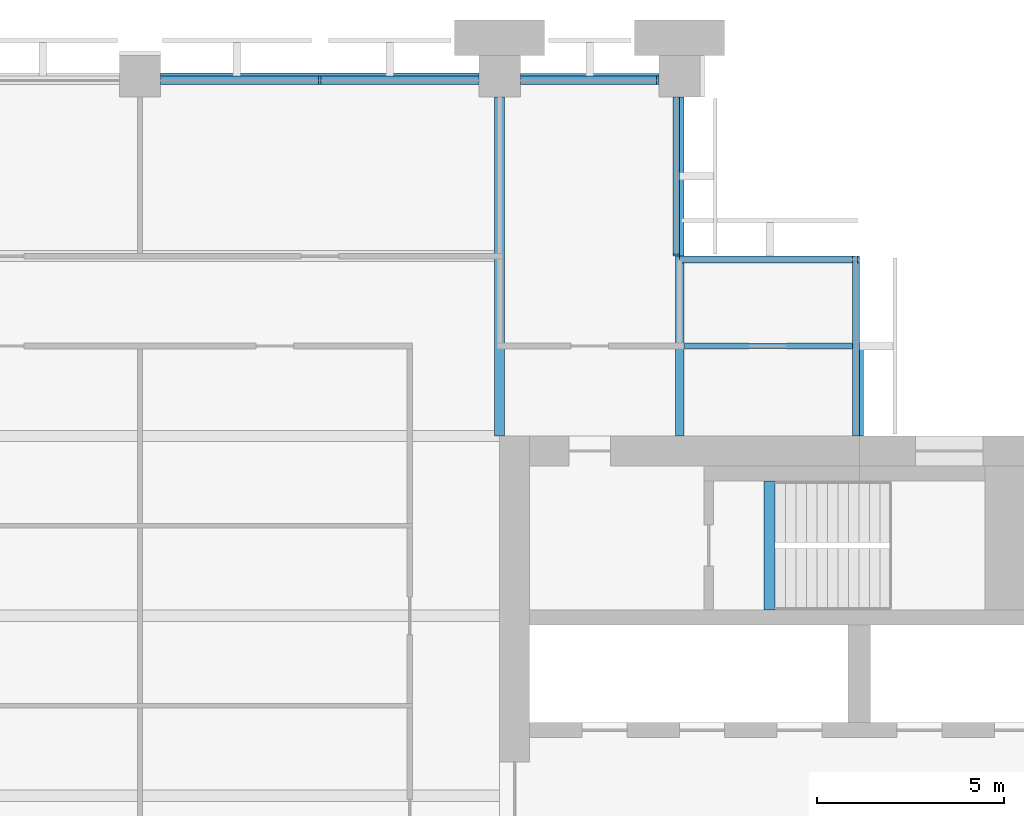
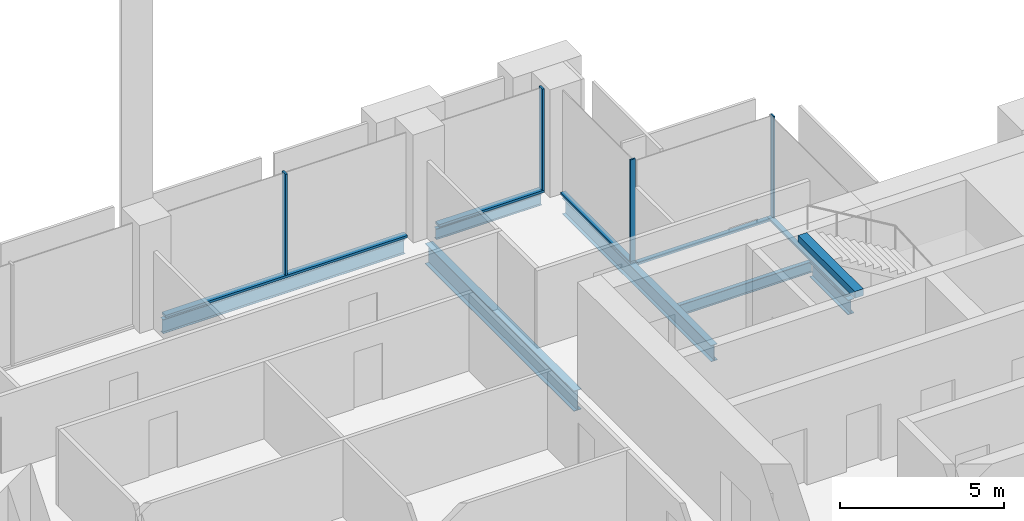
# One storey, part 6 of 13: 9 members, 7 beams, 4 elements without a shape of their own.
"""IFC4 building model written with IfcOpenShell, lengths in metres."""

from ifc_helpers import new_model, si_unit, direction, frame, origin, origin_2d, place, context, subcontext, project, spatial, rectangle, i_section, extrude, material, material_profile, profile_set, type_object, element, aggregate, save


model = new_model("IFC4")

# Units and contexts
model_context = context("Model", 3, precision=1e-05, world=origin(), true_north=direction((0.0, 1.0)))
body_context = subcontext(model_context, "Body", "Model", "MODEL_VIEW")
ifc_project = project(units=[si_unit("LENGTHUNIT", "METRE"), si_unit("AREAUNIT", "SQUARE_METRE"), si_unit("VOLUMEUNIT", "CUBIC_METRE"), si_unit("PLANEANGLEUNIT", "RADIAN"), si_unit("MASSUNIT", "GRAM", prefix="KILO")], contexts=[model_context])

# Site, building, storey
site_placement = place(None, origin())
site = spatial("IfcSite", under=ifc_project, at=site_placement, CompositionType="ELEMENT")
building_placement = place(site_placement, origin())
building = spatial("IfcBuilding", under=site, at=building_placement, Name="Baori Bourse Tower", CompositionType="ELEMENT")
storey_placement = place(building_placement, frame((0.0, 0.0, 201.199951171875)))
storey = spatial("IfcBuildingStorey", under=building, at=storey_placement, Name="L43", CompositionType="ELEMENT", Elevation=201.199951171875)

# Curtain wall, member
ifc_material_1 = material(Name="Pale anodised aluminium", Category="aluminium")
curtain_wall_type_1 = type_object("IfcCurtainWallType", Name="CW2 Curtain wall", PredefinedType="NOTDEFINED", material=ifc_material_1)
curtain_wall_1_placement = place(storey_placement, origin())
curtain_wall_1 = element("IfcCurtainWall", 1, at=curtain_wall_1_placement, inside=storey, type_object=curtain_wall_type_1, Name="Curtain wall CW2 L43 2", PredefinedType="NOTDEFINED")
ifc_material_2 = material(Name="Pale anodised aluminium", Category="aluminium")
ifc_material_profile_1 = material_profile(ifc_material_2, rectangle(XDim=0.179931640625, YDim=0.054931640625, at=origin_2d()), Name="Mullion 55x180")
ifc_profile_set_1 = profile_set([ifc_material_profile_1], Name="Pale anodised aluminium")
member_type_1 = type_object("IfcMemberType", Name="CW2 Curtain wall mullion", PredefinedType="MULLION", material=ifc_profile_set_1)
member_1_placement = place(storey_placement, frame((47.972412109375, 43.110107421875, 0.070068359375), z_axis=(0.0, 0.0, 1.0), x_axis=(0.0, -1.0, 0.0)))
member_1 = element("IfcMember", 2, at=member_1_placement, type_object=member_type_1, Name="Curtain wall CW2 mullion", PredefinedType="MULLION", context=body_context, shape_type="SweptSolid", body=[
    extrude(rectangle(XDim=0.179931640625, YDim=0.054931640625, at=origin_2d()), origin(), (0.0, 0.0, 1.0), 3.77001953125),
])

curtain_wall_2_placement = place(storey_placement, origin())
curtain_wall_2 = element("IfcCurtainWall", 3, at=curtain_wall_2_placement, inside=storey, type_object=curtain_wall_type_1, Name="Curtain wall CW2 L43 3", PredefinedType="NOTDEFINED")
member_2_placement = place(storey_placement, frame((43.110107421875, 43.2275390625, 0.070068359375), z_axis=(0.0, 0.0, 1.0), x_axis=(-1.0, 0.0, 0.0)))
member_2 = element("IfcMember", 4, at=member_2_placement, type_object=member_type_1, Name="Curtain wall CW2 mullion", PredefinedType="MULLION", context=body_context, shape_type="SweptSolid", body=[
    extrude(rectangle(XDim=0.179931640625, YDim=0.054931640625, at=origin_2d()), origin(), (0.0, 0.0, 1.0), 3.77001953125),
])

curtain_wall_3_placement = place(storey_placement, origin())
curtain_wall_3 = element("IfcCurtainWall", 5, at=curtain_wall_3_placement, inside=storey, type_object=curtain_wall_type_1, Name="Curtain wall CW2 L43 1", PredefinedType="NOTDEFINED")
ifc_material_3 = material(Name="Pale anodised aluminium", Category="aluminium")
ifc_material_profile_2 = material_profile(ifc_material_3, rectangle(XDim=0.179931640625, YDim=0.070068359375, at=origin_2d()), Name="Transom 70x180")
ifc_profile_set_2 = profile_set([ifc_material_profile_2], Name="Pale anodised aluminium")
member_type_2 = type_object("IfcMemberType", Name="CW2 Curtain wall transom", PredefinedType="USERDEFINED", material=ifc_profile_set_2)
member_3_placement = place(storey_placement, frame((47.909912109375, 38.39990234375, 0.03515625), z_axis=(0.0, 1.0, 0.0), x_axis=(-1.0, 0.0, 0.0)))
member_3 = element("IfcMember", 6, at=member_3_placement, type_object=member_type_2, Name="Curtain wall CW2 sill rail", ObjectType="TRANSOM", PredefinedType="USERDEFINED", context=body_context, shape_type="SweptSolid", body=[
    extrude(rectangle(XDim=0.179931640625, YDim=0.070068359375, at=origin_2d()), origin(), (0.0, 0.0, 1.0), 4.800048828125),
])
aggregate(curtain_wall_3, [member_3])

# Member
member_4_placement = place(storey_placement, frame((48.0, 43.110107421875, 0.03515625), z_axis=(-1.0, 0.0, 0.0), x_axis=(0.0, -1.0, 0.0)))
member_4 = element("IfcMember", 7, at=member_4_placement, type_object=member_type_2, Name="Curtain wall CW2 sill rail", ObjectType="TRANSOM", PredefinedType="USERDEFINED", context=body_context, shape_type="SweptSolid", body=[
    extrude(rectangle(XDim=0.179931640625, YDim=0.070068359375, at=origin_2d()), origin(), (0.0, 0.0, 1.0), 4.800048828125),
])

aggregate(curtain_wall_1, [member_4, member_1])

member_5_placement = place(storey_placement, frame((43.110107421875, 43.199951171875, 0.03515625), z_axis=(0.0, 1.0, 0.0), x_axis=(-1.0, 0.0, 0.0)))
member_5 = element("IfcMember", 8, at=member_5_placement, type_object=member_type_2, Name="Curtain wall CW2 sill rail", ObjectType="TRANSOM", PredefinedType="USERDEFINED", context=body_context, shape_type="SweptSolid", body=[
    extrude(rectangle(XDim=0.179931640625, YDim=0.070068359375, at=origin_2d()), origin(), (0.0, 0.0, 1.0), 4.25),
])

aggregate(curtain_wall_2, [member_5, member_2])

# Curtain wall, members
ifc_material_4 = material(Name="Pale anodised aluminium", Category="aluminium")
curtain_wall_type_2 = type_object("IfcCurtainWallType", Name="CW5 Curtain wall", PredefinedType="NOTDEFINED", material=ifc_material_4)
curtain_wall_4_placement = place(storey_placement, origin())
curtain_wall_4 = element("IfcCurtainWall", 9, at=curtain_wall_4_placement, inside=storey, type_object=curtain_wall_type_2, Name="Curtain wall CW5 L43 4", PredefinedType="NOTDEFINED")
ifc_material_5 = material(Name="Pale anodised aluminium", Category="aluminium")
ifc_material_profile_3 = material_profile(ifc_material_5, rectangle(XDim=0.219970703125, YDim=0.06494140625, at=origin_2d()), Name="Mullion 65x220")
ifc_profile_set_3 = profile_set([ifc_material_profile_3], Name="Pale anodised aluminium")
member_type_3 = type_object("IfcMemberType", Name="CW5 Curtain wall mullion", PredefinedType="MULLION", material=ifc_profile_set_3)
member_6_placement = place(storey_placement, frame((42.617431640625, 47.889892578125, 0.0849609375), z_axis=(0.0, 0.0, 1.0), x_axis=(0.0, -1.0, 0.0)))
member_6 = element("IfcMember", 10, at=member_6_placement, type_object=member_type_3, Name="Curtain wall CW5 mullion", PredefinedType="MULLION", context=body_context, shape_type="SweptSolid", body=[
    extrude(rectangle(XDim=0.219970703125, YDim=0.06494140625, at=origin_2d()), origin(), (0.0, 0.0, 1.0), 3.755126953125),
])
member_7_placement = place(storey_placement, frame((33.60009765625, 47.889892578125, 0.0849609375), z_axis=(0.0, 0.0, 1.0), x_axis=(0.0, -1.0, 0.0)))
member_7 = element("IfcMember", 11, at=member_7_placement, type_object=member_type_3, Name="Curtain wall CW5 mullion", PredefinedType="MULLION", context=body_context, shape_type="SweptSolid", body=[
    extrude(rectangle(XDim=0.219970703125, YDim=0.06494140625, at=origin_2d()), origin(), (0.0, 0.0, 1.0), 3.755126953125),
])
ifc_material_6 = material(Name="Pale anodised aluminium", Category="aluminium")
ifc_material_profile_4 = material_profile(ifc_material_6, rectangle(XDim=0.219970703125, YDim=0.0849609375, at=origin_2d()), Name="Transom 85x220")
ifc_profile_set_4 = profile_set([ifc_material_profile_4], Name="Pale anodised aluminium")
member_type_4 = type_object("IfcMemberType", Name="CW5 Curtain wall transom", PredefinedType="USERDEFINED", material=ifc_profile_set_4)
member_8_placement = place(storey_placement, frame((42.64990234375, 47.889892578125, 0.04248046875), z_axis=(-1.0, 0.0, 0.0), x_axis=(0.0, -1.0, 0.0)))
member_8 = element("IfcMember", 12, at=member_8_placement, type_object=member_type_4, Name="Curtain wall CW5 sill rail", ObjectType="TRANSOM", PredefinedType="USERDEFINED", context=body_context, shape_type="SweptSolid", body=[
    extrude(rectangle(XDim=0.219970703125, YDim=0.0849609375, at=origin_2d()), origin(), (0.0, 0.0, 1.0), 3.699951171875),
])
member_9_placement = place(storey_placement, frame((37.85009765625, 47.889892578125, 0.04248046875), z_axis=(-1.0, 0.0, 0.0), x_axis=(0.0, -1.0, 0.0)))
member_9 = element("IfcMember", 13, at=member_9_placement, type_object=member_type_4, Name="Curtain wall CW5 sill rail", ObjectType="TRANSOM", PredefinedType="USERDEFINED", context=body_context, shape_type="SweptSolid", body=[
    extrude(rectangle(XDim=0.219970703125, YDim=0.0849609375, at=origin_2d()), origin(), (0.0, 0.0, 1.0), 8.5),
])
aggregate(curtain_wall_4, [member_8, member_6, member_9, member_7])

# Beams
ifc_material_7 = material(Name="Steel A992 Gr 50", Category="steel")
ifc_material_profile_5 = material_profile(ifc_material_7, i_section(OverallWidth=0.21240234375, OverallDepth=0.54345703125, WebThickness=0.01318359375, FlangeThickness=0.021240234375, at=origin_2d()), Name="W21x83")
ifc_profile_set_5 = profile_set([ifc_material_profile_5], Name="Steel A992 Gr 50")
beam_type_1 = type_object("IfcBeamType", Name="Core bracket W21x83", PredefinedType="BEAM", material=ifc_profile_set_5)
beam_1_placement = place(storey_placement, frame((48.0, 38.39990234375, -0.431640625), z_axis=(0.0, 1.0, 0.0), x_axis=(-1.0, 0.0, 0.0)))
element("IfcBeam", 14, at=beam_1_placement, inside=storey, type_object=beam_type_1, Name="Core bracket L43", PredefinedType="BEAM", context=body_context, shape_type="SweptSolid", body=[
    extrude(i_section(OverallWidth=0.21240234375, OverallDepth=0.54345703125, WebThickness=0.01318359375, FlangeThickness=0.021240234375, at=origin_2d()), origin(), (0.0, 0.0, 1.0), 2.329833984375),
])
ifc_material_8 = material(Name="Steel A992 Gr 50", Category="steel")
ifc_material_profile_6 = material_profile(ifc_material_8, i_section(OverallWidth=0.140380859375, OverallDepth=0.40380859375, WebThickness=0.007080078125, FlangeThickness=0.01123046875, at=origin_2d()), Name="W16x31")
ifc_profile_set_6 = profile_set([ifc_material_profile_6], Name="Steel A992 Gr 50")
beam_type_2 = type_object("IfcBeamType", Name="Edge beam W16x31", PredefinedType="BEAM", material=ifc_profile_set_6)
beam_2_placement = place(storey_placement, frame((38.949951171875, 48.0, -0.36181640625), z_axis=(1.0, 0.0, 0.0), x_axis=(0.0, 1.0, 0.0)))
element("IfcBeam", 15, at=beam_2_placement, inside=storey, type_object=beam_type_2, Name="Edge beam L43", PredefinedType="BEAM", context=body_context, shape_type="SweptSolid", body=[
    extrude(i_section(OverallWidth=0.140380859375, OverallDepth=0.40380859375, WebThickness=0.007080078125, FlangeThickness=0.01123046875, at=origin_2d()), origin(), (0.0, 0.0, 1.0), 3.699951171875),
])
ifc_material_9 = material(Name="Steel A992 Gr 50", Category="steel")
ifc_material_profile_7 = material_profile(ifc_material_9, i_section(OverallWidth=0.1650390625, OverallDepth=0.52587890625, WebThickness=0.0087890625, FlangeThickness=0.011474609375, at=origin_2d()), Name="W21x44")
ifc_profile_set_7 = profile_set([ifc_material_profile_7], Name="Steel A992 Gr 50")
beam_type_3 = type_object("IfcBeamType", Name="Edge beam W21x44", PredefinedType="BEAM", material=ifc_profile_set_7)
beam_3_placement = place(storey_placement, frame((29.35009765625, 48.0, -0.4228515625), z_axis=(1.0, 0.0, 0.0), x_axis=(0.0, 1.0, 0.0)))
element("IfcBeam", 16, at=beam_3_placement, inside=storey, type_object=beam_type_3, Name="Edge beam L43", PredefinedType="BEAM", context=body_context, shape_type="SweptSolid", body=[
    extrude(i_section(OverallWidth=0.1650390625, OverallDepth=0.52587890625, WebThickness=0.0087890625, FlangeThickness=0.011474609375, at=origin_2d()), origin(), (0.0, 0.0, 1.0), 8.5),
])
ifc_material_10 = material(Name="Steel A992 Gr 50", Category="steel")
ifc_material_profile_8 = material_profile(ifc_material_10, i_section(OverallWidth=0.227783203125, OverallDepth=0.60205078125, WebThickness=0.010498046875, FlangeThickness=0.014892578125, at=origin_2d()), Name="W24x68")
ifc_profile_set_8 = profile_set([ifc_material_profile_8], Name="Steel A992 Gr 50")
beam_type_4 = type_object("IfcBeamType", Name="Floor beam W24x68", PredefinedType="BEAM", material=ifc_profile_set_8)
beam_4_placement = place(storey_placement, frame((43.199951171875, 38.39990234375, -0.4609375), z_axis=(0.0, 1.0, 0.0), x_axis=(-1.0, 0.0, 0.0)))
element("IfcBeam", 17, at=beam_4_placement, inside=storey, type_object=beam_type_4, Name="Floor beam L43", PredefinedType="BEAM", context=body_context, shape_type="SweptSolid", body=[
    extrude(i_section(OverallWidth=0.227783203125, OverallDepth=0.60205078125, WebThickness=0.010498046875, FlangeThickness=0.014892578125, at=origin_2d()), origin(), (0.0, 0.0, 1.0), 9.050048828125),
])
ifc_material_11 = material(Name="Steel A992 Gr 50", Category="steel")
ifc_material_profile_9 = material_profile(ifc_material_11, i_section(OverallWidth=0.2666015625, OverallDepth=0.7568359375, WebThickness=0.013916015625, FlangeThickness=0.019287109375, at=origin_2d()), Name="W30x108")
ifc_profile_set_9 = profile_set([ifc_material_profile_9], Name="Steel A992 Gr 50")
beam_type_5 = type_object("IfcBeamType", Name="Girder W30x108", PredefinedType="BEAM", material=ifc_profile_set_9)
beam_5_placement = place(storey_placement, frame((38.39990234375, 38.39990234375, -0.538330078125), z_axis=(0.0, 1.0, 0.0), x_axis=(-1.0, 0.0, 0.0)))
element("IfcBeam", 18, at=beam_5_placement, inside=storey, type_object=beam_type_5, Name="Girder L43", PredefinedType="BEAM", context=body_context, shape_type="SweptSolid", body=[
    extrude(i_section(OverallWidth=0.2666015625, OverallDepth=0.7568359375, WebThickness=0.013916015625, FlangeThickness=0.019287109375, at=origin_2d()), origin(), (0.0, 0.0, 1.0), 9.050048828125),
])
ifc_material_12 = material(Name="Concrete f'c 50 MPa", Category="concrete")
ifc_material_profile_10 = material_profile(ifc_material_12, rectangle(XDim=0.300048828125, YDim=0.25, at=origin_2d()), Name="RC 300x250")
ifc_profile_set_10 = profile_set([ifc_material_profile_10], Name="Concrete f'c 50 MPa")
beam_type_6 = type_object("IfcBeamType", Name="Stair nib beam RC 300x250", PredefinedType="BEAM", material=ifc_profile_set_10)
beam_6_placement = place(storey_placement, frame((45.60009765625, 33.75, 3.715087890625), z_axis=(0.0, 1.0, 0.0), x_axis=(-1.0, 0.0, 0.0)))
element("IfcBeam", 19, at=beam_6_placement, inside=storey, type_object=beam_type_6, Name="Stair EB nib beam L44", PredefinedType="BEAM", context=body_context, shape_type="SweptSolid", body=[
    extrude(rectangle(XDim=0.300048828125, YDim=0.25, at=origin_2d()), origin(), (0.0, 0.0, 1.0), 3.449951171875),
])
ifc_material_13 = material(Name="Steel A992 Gr 50", Category="steel")
ifc_material_profile_11 = material_profile(ifc_material_13, i_section(OverallWidth=0.140380859375, OverallDepth=0.40380859375, WebThickness=0.007080078125, FlangeThickness=0.01123046875, at=origin_2d()), Name="W16x31")
ifc_profile_set_11 = profile_set([ifc_material_profile_11], Name="Steel A992 Gr 50")
beam_type_7 = type_object("IfcBeamType", Name="Trimmer beam W16x31", PredefinedType="BEAM", material=ifc_profile_set_11)
beam_7_placement = place(storey_placement, frame((43.31396484375, 40.800048828125, -0.36181640625), z_axis=(1.0, 0.0, 0.0), x_axis=(0.0, 1.0, 0.0)))
element("IfcBeam", 20, at=beam_7_placement, inside=storey, type_object=beam_type_7, Name="Trimmer beam L43", PredefinedType="BEAM", context=body_context, shape_type="SweptSolid", body=[
    extrude(i_section(OverallWidth=0.140380859375, OverallDepth=0.40380859375, WebThickness=0.007080078125, FlangeThickness=0.01123046875, at=origin_2d()), origin(), (0.0, 0.0, 1.0), 4.68603515625),
])

save(model, "model.ifc")
